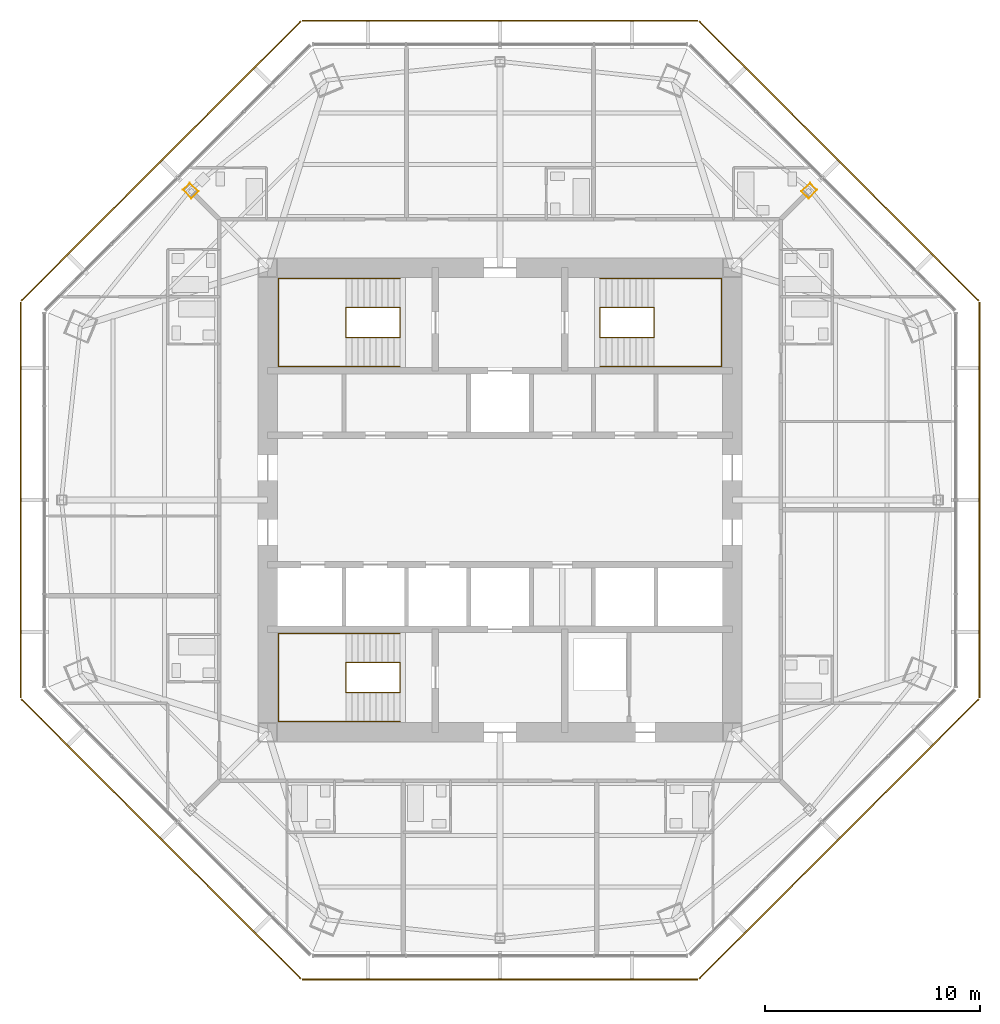
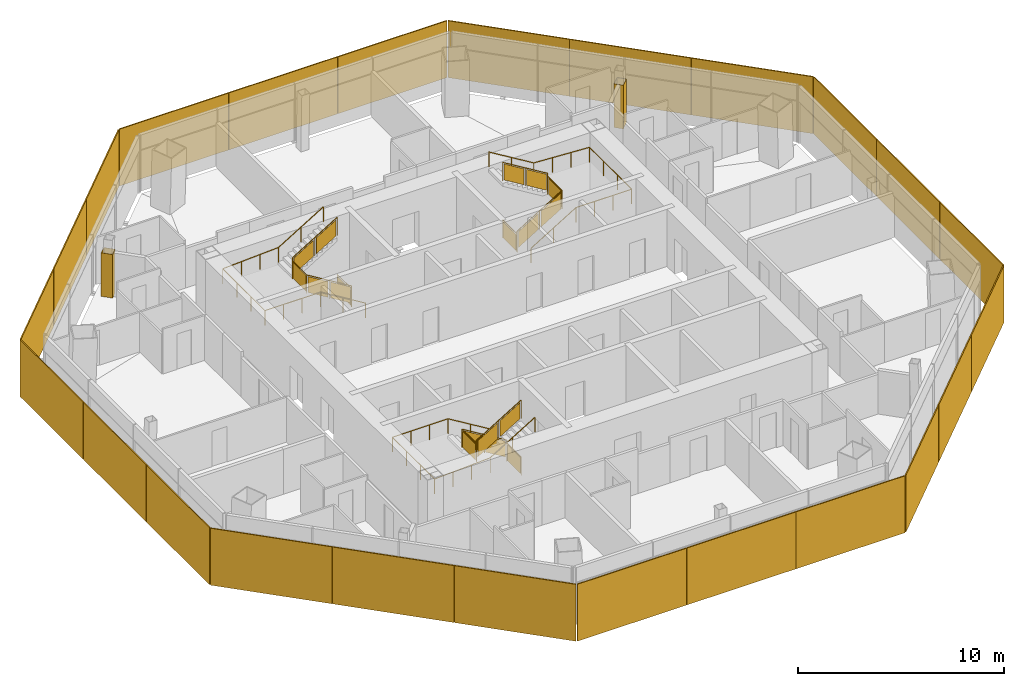
# One storey, part 13 of 14: 24 shading devices, 6 railings, 2 coverings.
"""IFC4 building model written with IfcOpenShell, lengths in metres."""

import ifcopenshell
import ifcopenshell.guid

model = None  # the IFC model being written
_history = None  # IfcOwnerHistory: only IFC2X3 demands one
_inside = {}  # id of a spatial element -> (the spatial element, [elements in it])
_under = {}  # id of a project, library or spatial element -> (it, [spatial elements below it])
_declared = {}  # id of a project -> (the project, [libraries it declares])
_typed = {}  # id of a type object -> (the type object, [elements of that type])
_made_of = {}  # id of a material, layer set ... -> (it, [elements and type objects made of it])


def new_model(schema):
    """Start an empty IFC model of exactly this schema.

    Asked for "IFC4X3", IfcOpenShell would pick the latest addendum, in which some entities
    have other attributes; the version numbers below select the first issue.
    IFC2X3 requires an IfcOwnerHistory on every rooted entity: one is made here for all.
    """
    global model, _history
    if schema == "IFC4X3":
        model = ifcopenshell.file(schema_version=(4, 3, 0, 0))
    else:
        model = ifcopenshell.file(schema=schema)
    _inside.clear()
    _under.clear()
    _declared.clear()
    _typed.clear()
    _made_of.clear()
    _history = None
    if model.schema == "IFC2X3":
        org = make("IfcOrganization", Name="unknown")
        user = make(
            "IfcPersonAndOrganization",
            ThePerson=make("IfcPerson", FamilyName="unknown"),
            TheOrganization=org,
        )
        app = make(
            "IfcApplication",
            ApplicationDeveloper=org,
            Version="unknown",
            ApplicationFullName="unknown",
            ApplicationIdentifier="unknown",
        )
        _history = make(
            "IfcOwnerHistory",
            OwningUser=user,
            OwningApplication=app,
            ChangeAction="ADDED",
            CreationDate=0,
        )
    return model


def make(cls, **values):
    """One entity of the class cls with the attributes given. An attribute that is None is left unset."""
    return model.create_entity(
        cls, **{name: value for name, value in values.items() if value is not None}
    )


def rooted(cls, **values):
    """An entity with a GlobalId (a new one), such as an element, a storey or a relation."""
    return make(cls, GlobalId=ifcopenshell.guid.new(), OwnerHistory=_history, **values)


def si_unit(unit_type, name, prefix=None):
    """IfcSIUnit, for example si_unit("LENGTHUNIT", "METRE", prefix="MILLI")."""
    return make("IfcSIUnit", UnitType=unit_type, Prefix=prefix, Name=name)


def assignment(units):
    """IfcUnitAssignment: the units of a project."""
    return None if units is None else make("IfcUnitAssignment", Units=units)


def point(xyz):
    """IfcCartesianPoint."""
    return None if xyz is None else make("IfcCartesianPoint", Coordinates=xyz)


def direction(xyz):
    """IfcDirection."""
    return None if xyz is None else make("IfcDirection", DirectionRatios=xyz)


def frame(location, z_axis=None, x_axis=None):
    """IfcAxis2Placement3D, a coordinate frame: its origin and axes. An axis left out is left unset."""
    return make(
        "IfcAxis2Placement3D",
        Location=point(location),
        Axis=direction(z_axis),
        RefDirection=direction(x_axis),
    )


def frame_2d(location, x_axis=None):
    """IfcAxis2Placement2D, a coordinate frame in the plane: its origin and x axis."""
    return make(
        "IfcAxis2Placement2D", Location=point(location), RefDirection=direction(x_axis)
    )


def origin():
    """The frame at (0, 0, 0) with its axes left unset."""
    return frame((0.0, 0.0, 0.0))


def origin_2d():
    """The frame at (0, 0) in the plane with its x axis left unset."""
    return frame_2d((0.0, 0.0))


def place(relative_to, where):
    """IfcLocalPlacement: puts the frame where relative to a parent placement (None: the world)."""
    return make(
        "IfcLocalPlacement", PlacementRelTo=relative_to, RelativePlacement=where
    )


def context(
    kind, dimensions, precision=None, world=None, true_north=None, identifier=None
):
    """IfcGeometricRepresentationContext, for example the 3D "Model" context."""
    return make(
        "IfcGeometricRepresentationContext",
        ContextIdentifier=identifier,
        ContextType=kind,
        CoordinateSpaceDimension=dimensions,
        Precision=precision,
        WorldCoordinateSystem=world,
        TrueNorth=true_north,
    )


def subcontext(parent, identifier, kind, view, scale=None):
    """IfcGeometricRepresentationSubContext, for example "Body" below "Model"."""
    return make(
        "IfcGeometricRepresentationSubContext",
        ContextIdentifier=identifier,
        ContextType=kind,
        ParentContext=parent,
        TargetScale=scale,
        TargetView=view,
    )


def project(units=None, contexts=None):
    """IfcProject with its units and contexts."""
    return rooted(
        "IfcProject",
        Name="project",
        RepresentationContexts=contexts,
        UnitsInContext=assignment(units),
    )


def spatial(cls, under=None, at=None, **own):
    """A site, building, storey or space (cls), placed at a placement, below another one or the project."""
    s = rooted(cls, ObjectPlacement=at, **own)
    if under is not None:
        _under.setdefault(under.id(), (under, []))[1].append(s)
    return s


def polyline(points):
    """IfcPolyline through the points."""
    return make("IfcPolyline", Points=[point(p) for p in points])


def profile(cls, at=None, kind="AREA", **sizes):
    """A parametric profile (cls). Its sizes go by their IFC names, for example OverallWidth=200.0."""
    return make(cls, ProfileType=kind, Position=at, **sizes)


def rectangle(**sizes):
    """IfcRectangleProfileDef."""
    return profile("IfcRectangleProfileDef", **sizes)


def circle(**sizes):
    """IfcCircleProfileDef."""
    return profile("IfcCircleProfileDef", **sizes)


def outline(outer, holes=None, kind="AREA"):
    """IfcArbitraryClosedProfileDef: a profile drawn as a closed curve; with holes, ...WithVoids."""
    if holes is None:
        return make("IfcArbitraryClosedProfileDef", ProfileType=kind, OuterCurve=outer)
    return make(
        "IfcArbitraryProfileDefWithVoids",
        ProfileType=kind,
        OuterCurve=outer,
        InnerCurves=holes,
    )


def extrude(swept, where, along, depth):
    """IfcExtrudedAreaSolid: the profile swept, set in the frame where, extruded along a direction by depth."""
    return make(
        "IfcExtrudedAreaSolid",
        SweptArea=swept,
        Position=where,
        ExtrudedDirection=direction(along),
        Depth=depth,
    )


def shape(context_of_items, identifier, shape_type, items):
    """IfcShapeRepresentation: the items that make up one representation, for example the "Body"."""
    return make(
        "IfcShapeRepresentation",
        ContextOfItems=context_of_items,
        RepresentationIdentifier=identifier,
        RepresentationType=shape_type,
        Items=items,
    )


def source(mapping_origin, context_of_items, identifier, shape_type, items):
    """IfcRepresentationMap: a shape defined once, which mapped items show again and again."""
    return make(
        "IfcRepresentationMap",
        MappingOrigin=mapping_origin,
        MappedRepresentation=shape(context_of_items, identifier, shape_type, items),
    )


def transform(
    local_origin,
    x_axis=None,
    y_axis=None,
    z_axis=None,
    scale=None,
    scale2=None,
    scale3=None,
    uniform=True,
):
    """IfcCartesianTransformationOperator3D, or its non-uniform kind. x_axis, y_axis, z_axis: its Axis1, 2, 3."""
    if uniform:
        return make(
            "IfcCartesianTransformationOperator3D",
            Axis1=direction(x_axis),
            Axis2=direction(y_axis),
            LocalOrigin=point(local_origin),
            Scale=scale,
            Axis3=direction(z_axis),
        )
    return make(
        "IfcCartesianTransformationOperator3DnonUniform",
        Axis1=direction(x_axis),
        Axis2=direction(y_axis),
        LocalOrigin=point(local_origin),
        Scale=scale,
        Axis3=direction(z_axis),
        Scale2=scale2,
        Scale3=scale3,
    )


def mapped(mapping_source, mapping_target):
    """IfcMappedItem: shows the shape of a source again, moved by a transform."""
    return make(
        "IfcMappedItem", MappingSource=mapping_source, MappingTarget=mapping_target
    )


def material(Name=None, Category=None):
    """IfcMaterial."""
    return make("IfcMaterial", Name=Name, Category=Category)


def layer(
    of_material, thickness, ventilated=None, Name=None, Category=None, Priority=None
):
    """IfcMaterialLayer: one layer of a wall or slab, of a material (None: an air gap)."""
    return make(
        "IfcMaterialLayer",
        Material=of_material,
        LayerThickness=thickness,
        IsVentilated=ventilated,
        Name=Name,
        Category=Category,
        Priority=Priority,
    )


def layer_set(layers, Name=None):
    """IfcMaterialLayerSet."""
    return make("IfcMaterialLayerSet", MaterialLayers=layers, LayerSetName=Name)


def made_of(thing, what):
    """Note that an element or type object is made of a material, layer set ...; save() writes the relation."""
    if what is not None:
        _made_of.setdefault(what.id(), (what, []))[1].append(thing)
    return thing


def type_object(cls, material=None, **own):
    """A type object (cls), such as IfcWallType, which elements share."""
    return made_of(rooted(cls, **own), material)


def type_shapes(of_type, sources):
    """Give a type object the sources (RepresentationMaps) that its elements show as mapped items."""
    of_type.RepresentationMaps = sources


def element(
    cls,
    number,
    at=None,
    inside=None,
    cuts=None,
    type_object=None,
    material=None,
    context=None,
    identifier="Body",
    shape_type=None,
    held_by="IfcProductDefinitionShape",
    body=None,
    shapes=None,
    **own,
):
    """One element of the class cls, such as IfcWall. Its Tag is "e" and its number.

    at: its placement. inside: the storey or other place that contains it. cuts: it is an
    opening in that element (IfcRelVoidsElement). A single representation is given by context,
    identifier, shape_type and body (its items); several are given by shapes. held_by: the class
    of the entity that holds the representations. save() writes the other relations.
    """
    e = rooted(cls, Tag="e%d" % number, ObjectPlacement=at, **own)
    if body is not None:
        shapes = [shape(context, identifier, shape_type, body)]
    if shapes is not None:
        e.Representation = make(held_by, Representations=shapes)
    if inside is not None:
        _inside.setdefault(inside.id(), (inside, []))[1].append(e)
    if cuts is not None:
        rooted(
            "IfcRelVoidsElement", RelatingBuildingElement=cuts, RelatedOpeningElement=e
        )
    if type_object is not None:
        _typed.setdefault(type_object.id(), (type_object, []))[1].append(e)
    return made_of(e, material)


def aggregate(whole, parts):
    """IfcRelAggregates: a whole, such as a stair, and the parts it consists of."""
    return rooted("IfcRelAggregates", RelatingObject=whole, RelatedObjects=parts)


def save(model, path):
    """Write the relations noted so far, then the file.

    IfcRelAggregates (storeys below a building ...), IfcRelContainedInSpatialStructure (elements
    in a storey), IfcRelDefinesByType, IfcRelAssociatesMaterial and IfcRelDeclares: one each for
    every whole, place, type object, material and project.
    """
    for whole, parts in _under.values():
        aggregate(whole, parts)
    for where, things in _inside.values():
        rooted(
            "IfcRelContainedInSpatialStructure",
            RelatedElements=things,
            RelatingStructure=where,
        )
    for kind, things in _typed.values():
        rooted("IfcRelDefinesByType", RelatedObjects=things, RelatingType=kind)
    for what, things in _made_of.values():
        rooted("IfcRelAssociatesMaterial", RelatedObjects=things, RelatingMaterial=what)
    for by, libraries in _declared.values():
        rooted("IfcRelDeclares", RelatingContext=by, RelatedDefinitions=libraries)
    model.write(path)


model = new_model("IFC4")

# Units and contexts
model_context = context("Model", 3, precision=1e-05, world=origin(), true_north=direction((0.0, 1.0)))
body_context = subcontext(model_context, "Body", "Model", "MODEL_VIEW")
ifc_project = project(units=[si_unit("LENGTHUNIT", "METRE"), si_unit("AREAUNIT", "SQUARE_METRE"), si_unit("VOLUMEUNIT", "CUBIC_METRE"), si_unit("PLANEANGLEUNIT", "RADIAN"), si_unit("MASSUNIT", "GRAM", prefix="KILO")], contexts=[model_context])

# Site, building, storey
site_placement = place(None, origin())
site = spatial("IfcSite", under=ifc_project, at=site_placement, CompositionType="ELEMENT")
building_placement = place(site_placement, origin())
building = spatial("IfcBuilding", under=site, at=building_placement, Name="Mashrafa Tower", CompositionType="ELEMENT")
storey_placement = place(building_placement, frame((0.0, 0.0, 241.39990234375)))
storey = spatial("IfcBuildingStorey", under=building, at=storey_placement, Name="L57", CompositionType="ELEMENT", Elevation=241.39990234375)

# Coverings
ifc_material_1 = material(Name="Gypsum board")
ifc_layer_1 = layer(ifc_material_1, 0.014892578125)
ifc_layer_set_1 = layer_set([ifc_layer_1], Name="Column casing plasterboard 15")
covering_type = type_object("IfcCoveringType", Name="Column casing plasterboard 15", PredefinedType="CLADDING", material=ifc_layer_set_1)
covering_1_placement = place(storey_placement, origin())
element("IfcCovering", 1, at=covering_1_placement, inside=storey, type_object=covering_type, Name="Column casing L57-001", PredefinedType="CLADDING", context=body_context, shape_type="SweptSolid", body=[
    extrude(outline(polyline([(14.007568359375, 14.346923828125), (14.4150390625, 14.75439453125), (14.75439453125, 14.4150390625), (14.346923828125, 14.007568359375), (14.007568359375, 14.346923828125)]), holes=[polyline([(14.733154296875, 14.4150390625), (14.4150390625, 14.733154296875), (14.02880859375, 14.346923828125), (14.346923828125, 14.02880859375), (14.733154296875, 14.4150390625)])]), origin(), (0.0, 0.0, 1.0), 2.588134765625),
])
covering_2_placement = place(storey_placement, origin())
element("IfcCovering", 2, at=covering_2_placement, inside=storey, type_object=covering_type, Name="Column casing L57-002", PredefinedType="CLADDING", context=body_context, shape_type="SweptSolid", body=[
    extrude(outline(polyline([(-14.75439453125, 14.4150390625), (-14.4150390625, 14.75439453125), (-14.007568359375, 14.346923828125), (-14.346923828125, 14.007568359375), (-14.75439453125, 14.4150390625)]), holes=[polyline([(-14.02880859375, 14.346923828125), (-14.4150390625, 14.733154296875), (-14.733154296875, 14.4150390625), (-14.346923828125, 14.02880859375), (-14.02880859375, 14.346923828125)])]), origin(), (0.0, 0.0, 1.0), 2.588134765625),
])

# Railings
ifc_material_2 = material(Name="Steel guard with glass infill", Category="steel")
railing_type_1 = type_object("IfcRailingType", Name="Stair guard 1100", PredefinedType="GUARDRAIL", material=ifc_material_2)
railing_1_placement = place(storey_placement, frame((-4.64990234375, 8.949951171875, 0.0)))
element("IfcRailing", 3, at=railing_1_placement, inside=storey, type_object=railing_type_1, Name="Stair S1 guard L57", PredefinedType="GUARDRAIL", context=body_context, shape_type="SweptSolid", body=[
    extrude(circle(Radius=0.02392578125, at=origin_2d()), frame((0.0, 0.0, 1.076171875), z_axis=(0.0, -1.0, 0.0), x_axis=(1.0, 0.0, 0.0)), (0.0, 0.0, 1.0), 1.39990234375),
    extrude(circle(Radius=0.02392578125, at=origin_2d()), frame((0.0, -1.39990234375, 1.076171875), z_axis=(0.0, 0.0, 1.0), x_axis=(1.0, 0.0, 0.0)), (0.0, 0.0, 1.0), 0.170166015625),
    extrude(circle(Radius=0.02392578125, at=origin_2d()), frame((0.0, -1.39990234375, 1.24609375), z_axis=(-0.85478489116, 0.0, 0.518982456201), x_axis=(0.0, -1.0, 0.0)), (0.0, 0.0, 1.0), 2.9482421875),
    extrude(circle(Radius=0.02392578125, at=origin_2d()), frame((-2.52001953125, -1.39990234375, 2.7763671875), z_axis=(0.0, 1.0, 0.0), x_axis=(-1.0, 0.0, 0.0)), (0.0, 0.0, 1.0), 1.39990234375),
    extrude(circle(Radius=0.02392578125, at=origin_2d()), frame((-2.52001953125, 0.0, 2.7763671875), z_axis=(0.0, 0.0, 1.0), x_axis=(1.0, 0.0, 0.0)), (0.0, 0.0, 1.0), 0.169921875),
    extrude(circle(Radius=0.02392578125, at=origin_2d()), frame((-2.52001953125, 0.0, 2.9462890625), z_axis=(0.85478489116, 0.0, 0.518982456201), x_axis=(0.0, 1.0, 0.0)), (0.0, 0.0, 1.0), 2.9482421875),
    extrude(circle(Radius=0.02099609375, at=origin_2d()), origin(), (0.0, 0.0, 1.0), 1.052001953125),
    extrude(circle(Radius=0.02099609375, at=origin_2d()), frame((0.0, -1.39990234375, 0.0)), (0.0, 0.0, 1.0), 1.052001953125),
    extrude(circle(Radius=0.02099609375, at=origin_2d()), frame((0.0, -1.39990234375, 0.170166015625)), (0.0, 0.0, 1.0), 1.052001953125),
    extrude(circle(Radius=0.02099609375, at=origin_2d()), frame((-1.260009765625, -1.39990234375, 0.93505859375)), (0.0, 0.0, 1.0), 1.052001953125),
    extrude(circle(Radius=0.02099609375, at=origin_2d()), frame((-2.52001953125, -1.39990234375, 1.7001953125)), (0.0, 0.0, 1.0), 1.052001953125),
    extrude(circle(Radius=0.02099609375, at=origin_2d()), frame((-2.52001953125, 0.0, 1.7001953125)), (0.0, 0.0, 1.0), 1.052001953125),
    extrude(circle(Radius=0.02099609375, at=origin_2d()), frame((-2.52001953125, 0.0, 1.8701171875)), (0.0, 0.0, 1.0), 1.052001953125),
    extrude(circle(Radius=0.02099609375, at=origin_2d()), frame((-1.260009765625, 0.0, 2.63525390625)), (0.0, 0.0, 1.0), 1.052001953125),
    extrude(circle(Radius=0.02099609375, at=origin_2d()), frame((0.0, 0.0, 3.400146484375)), (0.0, 0.0, 1.0), 1.052001953125),
    extrude(outline(polyline([(0.071044921875, 0.050048828125), (1.328857421875, 0.050048828125), (1.328857421875, 1.001953125), (0.071044921875, 1.001953125), (0.071044921875, 0.050048828125)])), frame((-0.006103515625, 0.0, 0.0), z_axis=(-1.0, 0.0, 0.0), x_axis=(0.0, -1.0, 0.0)), (0.0, 0.0, 1.0), 0.011962890625),
    extrude(outline(polyline([(0.071044921875, 0.093017578125), (1.18896484375, 0.77197265625), (1.18896484375, 1.723876953125), (0.071044921875, 1.045166015625), (0.071044921875, 0.093017578125)])), frame((0.0, -1.393798828125, 0.170166015625), z_axis=(0.0, 1.0, 0.0), x_axis=(-1.0, 0.0, 0.0)), (0.0, 0.0, 1.0), 0.011962890625),
    extrude(outline(polyline([(1.3310546875, 0.858154296875), (2.448974609375, 1.536865234375), (2.448974609375, 2.489013671875), (1.3310546875, 1.81005859375), (1.3310546875, 0.858154296875)])), frame((0.0, -1.393798828125, 0.170166015625), z_axis=(0.0, 1.0, 0.0), x_axis=(-1.0, 0.0, 0.0)), (0.0, 0.0, 1.0), 0.011962890625),
    extrude(outline(polyline([(0.071044921875, 0.050048828125), (1.328857421875, 0.050048828125), (1.328857421875, 1.001953125), (0.071044921875, 1.001953125), (0.071044921875, 0.050048828125)])), frame((-2.513916015625, -1.39990234375, 1.7001953125), z_axis=(1.0, 0.0, 0.0), x_axis=(0.0, 1.0, 0.0)), (0.0, 0.0, 1.0), 0.011962890625),
    extrude(outline(polyline([(0.071044921875, 0.093017578125), (1.18896484375, 0.77197265625), (1.18896484375, 1.723876953125), (0.071044921875, 1.045166015625), (0.071044921875, 0.093017578125)])), frame((-2.52001953125, -0.006103515625, 1.8701171875), z_axis=(0.0, -1.0, 0.0), x_axis=(1.0, 0.0, 0.0)), (0.0, 0.0, 1.0), 0.011962890625),
    extrude(outline(polyline([(1.3310546875, 0.858154296875), (2.448974609375, 1.536865234375), (2.448974609375, 2.489013671875), (1.3310546875, 1.81005859375), (1.3310546875, 0.858154296875)])), frame((-2.52001953125, -0.006103515625, 1.8701171875), z_axis=(0.0, -1.0, 0.0), x_axis=(1.0, 0.0, 0.0)), (0.0, 0.0, 1.0), 0.011962890625),
])
railing_2_placement = place(storey_placement, frame((4.64990234375, 8.949951171875, 0.0)))
element("IfcRailing", 4, at=railing_2_placement, inside=storey, type_object=railing_type_1, Name="Stair S2 guard L57", PredefinedType="GUARDRAIL", context=body_context, shape_type="SweptSolid", body=[
    extrude(circle(Radius=0.02392578125, at=origin_2d()), frame((0.0, 0.0, 1.076171875), z_axis=(0.0, -1.0, 0.0), x_axis=(1.0, 0.0, 0.0)), (0.0, 0.0, 1.0), 1.39990234375),
    extrude(circle(Radius=0.02392578125, at=origin_2d()), frame((0.0, -1.39990234375, 1.076171875), z_axis=(0.0, 0.0, 1.0), x_axis=(1.0, 0.0, 0.0)), (0.0, 0.0, 1.0), 0.170166015625),
    extrude(circle(Radius=0.02392578125, at=origin_2d()), frame((0.0, -1.39990234375, 1.24609375), z_axis=(0.85478489116, 0.0, 0.518982456201), x_axis=(0.0, 1.0, 0.0)), (0.0, 0.0, 1.0), 2.9482421875),
    extrude(circle(Radius=0.02392578125, at=origin_2d()), frame((2.52001953125, -1.39990234375, 2.7763671875), z_axis=(0.0, 1.0, 0.0), x_axis=(-1.0, 0.0, 0.0)), (0.0, 0.0, 1.0), 1.39990234375),
    extrude(circle(Radius=0.02392578125, at=origin_2d()), frame((2.52001953125, 0.0, 2.7763671875), z_axis=(0.0, 0.0, 1.0), x_axis=(1.0, 0.0, 0.0)), (0.0, 0.0, 1.0), 0.169921875),
    extrude(circle(Radius=0.02392578125, at=origin_2d()), frame((2.52001953125, 0.0, 2.9462890625), z_axis=(-0.85478489116, 0.0, 0.518982456201), x_axis=(0.0, -1.0, 0.0)), (0.0, 0.0, 1.0), 2.9482421875),
    extrude(circle(Radius=0.02099609375, at=origin_2d()), origin(), (0.0, 0.0, 1.0), 1.052001953125),
    extrude(circle(Radius=0.02099609375, at=origin_2d()), frame((0.0, -1.39990234375, 0.0)), (0.0, 0.0, 1.0), 1.052001953125),
    extrude(circle(Radius=0.02099609375, at=origin_2d()), frame((0.0, -1.39990234375, 0.170166015625)), (0.0, 0.0, 1.0), 1.052001953125),
    extrude(circle(Radius=0.02099609375, at=origin_2d()), frame((1.260009765625, -1.39990234375, 0.93505859375)), (0.0, 0.0, 1.0), 1.052001953125),
    extrude(circle(Radius=0.02099609375, at=origin_2d()), frame((2.52001953125, -1.39990234375, 1.7001953125)), (0.0, 0.0, 1.0), 1.052001953125),
    extrude(circle(Radius=0.02099609375, at=origin_2d()), frame((2.52001953125, 0.0, 1.7001953125)), (0.0, 0.0, 1.0), 1.052001953125),
    extrude(circle(Radius=0.02099609375, at=origin_2d()), frame((2.52001953125, 0.0, 1.8701171875)), (0.0, 0.0, 1.0), 1.052001953125),
    extrude(circle(Radius=0.02099609375, at=origin_2d()), frame((1.260009765625, 0.0, 2.63525390625)), (0.0, 0.0, 1.0), 1.052001953125),
    extrude(circle(Radius=0.02099609375, at=origin_2d()), frame((0.0, 0.0, 3.400146484375)), (0.0, 0.0, 1.0), 1.052001953125),
    extrude(outline(polyline([(0.071044921875, 0.050048828125), (1.328857421875, 0.050048828125), (1.328857421875, 1.001953125), (0.071044921875, 1.001953125), (0.071044921875, 0.050048828125)])), frame((-0.006103515625, 0.0, 0.0), z_axis=(-1.0, 0.0, 0.0), x_axis=(0.0, -1.0, 0.0)), (0.0, 0.0, 1.0), 0.011962890625),
    extrude(outline(polyline([(0.071044921875, 0.093017578125), (1.18896484375, 0.77197265625), (1.18896484375, 1.723876953125), (0.071044921875, 1.045166015625), (0.071044921875, 0.093017578125)])), frame((0.0, -1.406005859375, 0.170166015625), z_axis=(0.0, -1.0, 0.0), x_axis=(1.0, 0.0, 0.0)), (0.0, 0.0, 1.0), 0.011962890625),
    extrude(outline(polyline([(1.3310546875, 0.858154296875), (2.448974609375, 1.536865234375), (2.448974609375, 2.489013671875), (1.3310546875, 1.81005859375), (1.3310546875, 0.858154296875)])), frame((0.0, -1.406005859375, 0.170166015625), z_axis=(0.0, -1.0, 0.0), x_axis=(1.0, 0.0, 0.0)), (0.0, 0.0, 1.0), 0.011962890625),
    extrude(outline(polyline([(0.071044921875, 0.050048828125), (1.328857421875, 0.050048828125), (1.328857421875, 1.001953125), (0.071044921875, 1.001953125), (0.071044921875, 0.050048828125)])), frame((2.526123046875, -1.39990234375, 1.7001953125), z_axis=(1.0, 0.0, 0.0), x_axis=(0.0, 1.0, 0.0)), (0.0, 0.0, 1.0), 0.011962890625),
    extrude(outline(polyline([(0.071044921875, 0.093017578125), (1.18896484375, 0.77197265625), (1.18896484375, 1.723876953125), (0.071044921875, 1.045166015625), (0.071044921875, 0.093017578125)])), frame((2.52001953125, 0.006103515625, 1.8701171875), z_axis=(0.0, 1.0, 0.0), x_axis=(-1.0, 0.0, 0.0)), (0.0, 0.0, 1.0), 0.011962890625),
    extrude(outline(polyline([(1.3310546875, 0.858154296875), (2.448974609375, 1.536865234375), (2.448974609375, 2.489013671875), (1.3310546875, 1.81005859375), (1.3310546875, 0.858154296875)])), frame((2.52001953125, 0.006103515625, 1.8701171875), z_axis=(0.0, 1.0, 0.0), x_axis=(-1.0, 0.0, 0.0)), (0.0, 0.0, 1.0), 0.011962890625),
])
railing_3_placement = place(storey_placement, frame((-4.64990234375, -8.949951171875, 0.0)))
element("IfcRailing", 5, at=railing_3_placement, inside=storey, type_object=railing_type_1, Name="Stair S3 guard L57", PredefinedType="GUARDRAIL", context=body_context, shape_type="SweptSolid", body=[
    extrude(circle(Radius=0.02392578125, at=origin_2d()), frame((0.0, 0.0, 1.076171875), z_axis=(0.0, 1.0, 0.0), x_axis=(-1.0, 0.0, 0.0)), (0.0, 0.0, 1.0), 1.39990234375),
    extrude(circle(Radius=0.02392578125, at=origin_2d()), frame((0.0, 1.39990234375, 1.076171875), z_axis=(0.0, 0.0, 1.0), x_axis=(1.0, 0.0, 0.0)), (0.0, 0.0, 1.0), 0.170166015625),
    extrude(circle(Radius=0.02392578125, at=origin_2d()), frame((0.0, 1.39990234375, 1.24609375), z_axis=(-0.85478489116, 0.0, 0.518982456201), x_axis=(0.0, -1.0, 0.0)), (0.0, 0.0, 1.0), 2.9482421875),
    extrude(circle(Radius=0.02392578125, at=origin_2d()), frame((-2.52001953125, 1.39990234375, 2.7763671875), z_axis=(0.0, -1.0, 0.0), x_axis=(1.0, 0.0, 0.0)), (0.0, 0.0, 1.0), 1.39990234375),
    extrude(circle(Radius=0.02392578125, at=origin_2d()), frame((-2.52001953125, 0.0, 2.7763671875), z_axis=(0.0, 0.0, 1.0), x_axis=(1.0, 0.0, 0.0)), (0.0, 0.0, 1.0), 0.169921875),
    extrude(circle(Radius=0.02392578125, at=origin_2d()), frame((-2.52001953125, 0.0, 2.9462890625), z_axis=(0.85478489116, 0.0, 0.518982456201), x_axis=(0.0, 1.0, 0.0)), (0.0, 0.0, 1.0), 2.9482421875),
    extrude(circle(Radius=0.02099609375, at=origin_2d()), origin(), (0.0, 0.0, 1.0), 1.052001953125),
    extrude(circle(Radius=0.02099609375, at=origin_2d()), frame((0.0, 1.39990234375, 0.0)), (0.0, 0.0, 1.0), 1.052001953125),
    extrude(circle(Radius=0.02099609375, at=origin_2d()), frame((0.0, 1.39990234375, 0.170166015625)), (0.0, 0.0, 1.0), 1.052001953125),
    extrude(circle(Radius=0.02099609375, at=origin_2d()), frame((-1.260009765625, 1.39990234375, 0.93505859375)), (0.0, 0.0, 1.0), 1.052001953125),
    extrude(circle(Radius=0.02099609375, at=origin_2d()), frame((-2.52001953125, 1.39990234375, 1.7001953125)), (0.0, 0.0, 1.0), 1.052001953125),
    extrude(circle(Radius=0.02099609375, at=origin_2d()), frame((-2.52001953125, 0.0, 1.7001953125)), (0.0, 0.0, 1.0), 1.052001953125),
    extrude(circle(Radius=0.02099609375, at=origin_2d()), frame((-2.52001953125, 0.0, 1.8701171875)), (0.0, 0.0, 1.0), 1.052001953125),
    extrude(circle(Radius=0.02099609375, at=origin_2d()), frame((-1.260009765625, 0.0, 2.63525390625)), (0.0, 0.0, 1.0), 1.052001953125),
    extrude(circle(Radius=0.02099609375, at=origin_2d()), frame((0.0, 0.0, 3.400146484375)), (0.0, 0.0, 1.0), 1.052001953125),
    extrude(outline(polyline([(0.071044921875, 0.050048828125), (1.328857421875, 0.050048828125), (1.328857421875, 1.001953125), (0.071044921875, 1.001953125), (0.071044921875, 0.050048828125)])), frame((0.006103515625, 0.0, 0.0), z_axis=(1.0, 0.0, 0.0), x_axis=(0.0, 1.0, 0.0)), (0.0, 0.0, 1.0), 0.011962890625),
    extrude(outline(polyline([(0.071044921875, 0.093017578125), (1.18896484375, 0.77197265625), (1.18896484375, 1.723876953125), (0.071044921875, 1.045166015625), (0.071044921875, 0.093017578125)])), frame((0.0, 1.406005859375, 0.170166015625), z_axis=(0.0, 1.0, 0.0), x_axis=(-1.0, 0.0, 0.0)), (0.0, 0.0, 1.0), 0.011962890625),
    extrude(outline(polyline([(1.3310546875, 0.858154296875), (2.448974609375, 1.536865234375), (2.448974609375, 2.489013671875), (1.3310546875, 1.81005859375), (1.3310546875, 0.858154296875)])), frame((0.0, 1.406005859375, 0.170166015625), z_axis=(0.0, 1.0, 0.0), x_axis=(-1.0, 0.0, 0.0)), (0.0, 0.0, 1.0), 0.011962890625),
    extrude(outline(polyline([(0.071044921875, 0.050048828125), (1.328857421875, 0.050048828125), (1.328857421875, 1.001953125), (0.071044921875, 1.001953125), (0.071044921875, 0.050048828125)])), frame((-2.526123046875, 1.39990234375, 1.7001953125), z_axis=(-1.0, 0.0, 0.0), x_axis=(0.0, -1.0, 0.0)), (0.0, 0.0, 1.0), 0.011962890625),
    extrude(outline(polyline([(0.071044921875, 0.093017578125), (1.18896484375, 0.77197265625), (1.18896484375, 1.723876953125), (0.071044921875, 1.045166015625), (0.071044921875, 0.093017578125)])), frame((-2.52001953125, -0.006103515625, 1.8701171875), z_axis=(0.0, -1.0, 0.0), x_axis=(1.0, 0.0, 0.0)), (0.0, 0.0, 1.0), 0.011962890625),
    extrude(outline(polyline([(1.3310546875, 0.858154296875), (2.448974609375, 1.536865234375), (2.448974609375, 2.489013671875), (1.3310546875, 1.81005859375), (1.3310546875, 0.858154296875)])), frame((-2.52001953125, -0.006103515625, 1.8701171875), z_axis=(0.0, -1.0, 0.0), x_axis=(1.0, 0.0, 0.0)), (0.0, 0.0, 1.0), 0.011962890625),
])
ifc_material_3 = material(Name="Steel", Category="steel")
railing_type_2 = type_object("IfcRailingType", Name="Stair handrail 900", PredefinedType="HANDRAIL", material=ifc_material_3)
railing_4_placement = place(storey_placement, frame((-4.64990234375, 6.199951171875, 0.170166015625)))
element("IfcRailing", 6, at=railing_4_placement, inside=storey, type_object=railing_type_2, Name="Stair S1 handrail L57", PredefinedType="HANDRAIL", context=body_context, shape_type="SweptSolid", body=[
    extrude(circle(Radius=0.02392578125, at=origin_2d()), frame((0.0, 0.0, 0.8759765625), z_axis=(-0.85478489116, 0.0, 0.518982456201), x_axis=(0.0, -1.0, 0.0)), (0.0, 0.0, 1.0), 2.9482421875),
    extrude(circle(Radius=0.02392578125, at=origin_2d()), frame((-2.52001953125, 0.0, 2.40576171875), z_axis=(-1.0, 0.0, 0.0), x_axis=(0.0, -1.0, 0.0)), (0.0, 0.0, 1.0), 3.130126953125),
    extrude(circle(Radius=0.02392578125, at=origin_2d()), frame((-5.650146484375, 0.0, 2.40576171875), z_axis=(0.0, 1.0, 0.0), x_axis=(-1.0, 0.0, 0.0)), (0.0, 0.0, 1.0), 4.10009765625),
    extrude(circle(Radius=0.02392578125, at=origin_2d()), frame((-5.650146484375, 4.10009765625, 2.40576171875), z_axis=(0.998529767259, 0.0, 0.054206124172), x_axis=(0.0, 1.0, 0.0)), (0.0, 0.0, 1.0), 3.134765625),
    extrude(circle(Radius=0.02392578125, at=origin_2d()), frame((-2.52001953125, 4.10009765625, 2.57568359375), z_axis=(0.85478489116, 0.0, 0.518982456201), x_axis=(0.0, 1.0, 0.0)), (0.0, 0.0, 1.0), 2.9482421875),
    extrude(circle(Radius=0.02099609375, at=origin_2d()), origin(), (0.0, 0.0, 1.0), 0.851806640625),
    extrude(circle(Radius=0.02099609375, at=origin_2d()), frame((-1.260009765625, 0.0, 0.76513671875)), (0.0, 0.0, 1.0), 0.851806640625),
    extrude(circle(Radius=0.02099609375, at=origin_2d()), frame((-2.52001953125, 0.0, 1.530029296875)), (0.0, 0.0, 1.0), 0.851806640625),
    extrude(circle(Radius=0.02099609375, at=origin_2d()), frame((-3.5634765625, 0.0, 1.530029296875)), (0.0, 0.0, 1.0), 0.851806640625),
    extrude(circle(Radius=0.02099609375, at=origin_2d()), frame((-4.606689453125, 0.0, 1.530029296875)), (0.0, 0.0, 1.0), 0.851806640625),
    extrude(circle(Radius=0.02099609375, at=origin_2d()), frame((-5.650146484375, 0.0, 1.530029296875)), (0.0, 0.0, 1.0), 0.851806640625),
    extrude(circle(Radius=0.02099609375, at=origin_2d()), frame((-5.650146484375, 1.36669921875, 1.530029296875)), (0.0, 0.0, 1.0), 0.851806640625),
    extrude(circle(Radius=0.02099609375, at=origin_2d()), frame((-5.650146484375, 2.7333984375, 1.530029296875)), (0.0, 0.0, 1.0), 0.851806640625),
    extrude(circle(Radius=0.02099609375, at=origin_2d()), frame((-5.650146484375, 4.10009765625, 1.530029296875)), (0.0, 0.0, 1.0), 0.851806640625),
    extrude(circle(Radius=0.02099609375, at=origin_2d()), frame((-4.606689453125, 4.10009765625, 1.586669921875)), (0.0, 0.0, 1.0), 0.851806640625),
    extrude(circle(Radius=0.02099609375, at=origin_2d()), frame((-3.5634765625, 4.10009765625, 1.643310546875)), (0.0, 0.0, 1.0), 0.851806640625),
    extrude(circle(Radius=0.02099609375, at=origin_2d()), frame((-2.52001953125, 4.10009765625, 1.699951171875)), (0.0, 0.0, 1.0), 0.851806640625),
    extrude(circle(Radius=0.02099609375, at=origin_2d()), frame((-1.260009765625, 4.10009765625, 2.46484375)), (0.0, 0.0, 1.0), 0.851806640625),
    extrude(circle(Radius=0.02099609375, at=origin_2d()), frame((0.0, 4.10009765625, 3.22998046875)), (0.0, 0.0, 1.0), 0.851806640625),
])
railing_5_placement = place(storey_placement, frame((4.64990234375, 6.199951171875, 0.170166015625)))
element("IfcRailing", 7, at=railing_5_placement, inside=storey, type_object=railing_type_2, Name="Stair S2 handrail L57", PredefinedType="HANDRAIL", context=body_context, shape_type="SweptSolid", body=[
    extrude(circle(Radius=0.02392578125, at=origin_2d()), frame((0.0, 0.0, 0.8759765625), z_axis=(0.85478489116, 0.0, 0.518982456201), x_axis=(0.0, 1.0, 0.0)), (0.0, 0.0, 1.0), 2.9482421875),
    extrude(circle(Radius=0.02392578125, at=origin_2d()), frame((2.52001953125, 0.0, 2.40576171875), z_axis=(1.0, 0.0, 0.0), x_axis=(0.0, 1.0, 0.0)), (0.0, 0.0, 1.0), 3.130126953125),
    extrude(circle(Radius=0.02392578125, at=origin_2d()), frame((5.650146484375, 0.0, 2.40576171875), z_axis=(0.0, 1.0, 0.0), x_axis=(-1.0, 0.0, 0.0)), (0.0, 0.0, 1.0), 4.10009765625),
    extrude(circle(Radius=0.02392578125, at=origin_2d()), frame((5.650146484375, 4.10009765625, 2.40576171875), z_axis=(-0.998529767259, 0.0, 0.054206124172), x_axis=(0.0, -1.0, 0.0)), (0.0, 0.0, 1.0), 3.134765625),
    extrude(circle(Radius=0.02392578125, at=origin_2d()), frame((2.52001953125, 4.10009765625, 2.57568359375), z_axis=(-0.85478489116, 0.0, 0.518982456201), x_axis=(0.0, -1.0, 0.0)), (0.0, 0.0, 1.0), 2.9482421875),
    extrude(circle(Radius=0.02099609375, at=origin_2d()), origin(), (0.0, 0.0, 1.0), 0.851806640625),
    extrude(circle(Radius=0.02099609375, at=origin_2d()), frame((1.260009765625, 0.0, 0.76513671875)), (0.0, 0.0, 1.0), 0.851806640625),
    extrude(circle(Radius=0.02099609375, at=origin_2d()), frame((2.52001953125, 0.0, 1.530029296875)), (0.0, 0.0, 1.0), 0.851806640625),
    extrude(circle(Radius=0.02099609375, at=origin_2d()), frame((3.5634765625, 0.0, 1.530029296875)), (0.0, 0.0, 1.0), 0.851806640625),
    extrude(circle(Radius=0.02099609375, at=origin_2d()), frame((4.606689453125, 0.0, 1.530029296875)), (0.0, 0.0, 1.0), 0.851806640625),
    extrude(circle(Radius=0.02099609375, at=origin_2d()), frame((5.650146484375, 0.0, 1.530029296875)), (0.0, 0.0, 1.0), 0.851806640625),
    extrude(circle(Radius=0.02099609375, at=origin_2d()), frame((5.650146484375, 1.36669921875, 1.530029296875)), (0.0, 0.0, 1.0), 0.851806640625),
    extrude(circle(Radius=0.02099609375, at=origin_2d()), frame((5.650146484375, 2.7333984375, 1.530029296875)), (0.0, 0.0, 1.0), 0.851806640625),
    extrude(circle(Radius=0.02099609375, at=origin_2d()), frame((5.650146484375, 4.10009765625, 1.530029296875)), (0.0, 0.0, 1.0), 0.851806640625),
    extrude(circle(Radius=0.02099609375, at=origin_2d()), frame((4.606689453125, 4.10009765625, 1.586669921875)), (0.0, 0.0, 1.0), 0.851806640625),
    extrude(circle(Radius=0.02099609375, at=origin_2d()), frame((3.5634765625, 4.10009765625, 1.643310546875)), (0.0, 0.0, 1.0), 0.851806640625),
    extrude(circle(Radius=0.02099609375, at=origin_2d()), frame((2.52001953125, 4.10009765625, 1.699951171875)), (0.0, 0.0, 1.0), 0.851806640625),
    extrude(circle(Radius=0.02099609375, at=origin_2d()), frame((1.260009765625, 4.10009765625, 2.46484375)), (0.0, 0.0, 1.0), 0.851806640625),
    extrude(circle(Radius=0.02099609375, at=origin_2d()), frame((0.0, 4.10009765625, 3.22998046875)), (0.0, 0.0, 1.0), 0.851806640625),
])
railing_6_placement = place(storey_placement, frame((-4.64990234375, -6.199951171875, 0.170166015625)))
element("IfcRailing", 8, at=railing_6_placement, inside=storey, type_object=railing_type_2, Name="Stair S3 handrail L57", PredefinedType="HANDRAIL", context=body_context, shape_type="SweptSolid", body=[
    extrude(circle(Radius=0.02392578125, at=origin_2d()), frame((0.0, 0.0, 0.8759765625), z_axis=(-0.85478489116, 0.0, 0.518982456201), x_axis=(0.0, -1.0, 0.0)), (0.0, 0.0, 1.0), 2.9482421875),
    extrude(circle(Radius=0.02392578125, at=origin_2d()), frame((-2.52001953125, 0.0, 2.40576171875), z_axis=(-1.0, 0.0, 0.0), x_axis=(0.0, -1.0, 0.0)), (0.0, 0.0, 1.0), 3.130126953125),
    extrude(circle(Radius=0.02392578125, at=origin_2d()), frame((-5.650146484375, 0.0, 2.40576171875), z_axis=(0.0, -1.0, 0.0), x_axis=(1.0, 0.0, 0.0)), (0.0, 0.0, 1.0), 4.10009765625),
    extrude(circle(Radius=0.02392578125, at=origin_2d()), frame((-5.650146484375, -4.10009765625, 2.40576171875), z_axis=(0.998529767259, 0.0, 0.054206124172), x_axis=(0.0, 1.0, 0.0)), (0.0, 0.0, 1.0), 3.134765625),
    extrude(circle(Radius=0.02392578125, at=origin_2d()), frame((-2.52001953125, -4.10009765625, 2.57568359375), z_axis=(0.85478489116, 0.0, 0.518982456201), x_axis=(0.0, 1.0, 0.0)), (0.0, 0.0, 1.0), 2.9482421875),
    extrude(circle(Radius=0.02099609375, at=origin_2d()), origin(), (0.0, 0.0, 1.0), 0.851806640625),
    extrude(circle(Radius=0.02099609375, at=origin_2d()), frame((-1.260009765625, 0.0, 0.76513671875)), (0.0, 0.0, 1.0), 0.851806640625),
    extrude(circle(Radius=0.02099609375, at=origin_2d()), frame((-2.52001953125, 0.0, 1.530029296875)), (0.0, 0.0, 1.0), 0.851806640625),
    extrude(circle(Radius=0.02099609375, at=origin_2d()), frame((-3.5634765625, 0.0, 1.530029296875)), (0.0, 0.0, 1.0), 0.851806640625),
    extrude(circle(Radius=0.02099609375, at=origin_2d()), frame((-4.606689453125, 0.0, 1.530029296875)), (0.0, 0.0, 1.0), 0.851806640625),
    extrude(circle(Radius=0.02099609375, at=origin_2d()), frame((-5.650146484375, 0.0, 1.530029296875)), (0.0, 0.0, 1.0), 0.851806640625),
    extrude(circle(Radius=0.02099609375, at=origin_2d()), frame((-5.650146484375, -1.36669921875, 1.530029296875)), (0.0, 0.0, 1.0), 0.851806640625),
    extrude(circle(Radius=0.02099609375, at=origin_2d()), frame((-5.650146484375, -2.7333984375, 1.530029296875)), (0.0, 0.0, 1.0), 0.851806640625),
    extrude(circle(Radius=0.02099609375, at=origin_2d()), frame((-5.650146484375, -4.10009765625, 1.530029296875)), (0.0, 0.0, 1.0), 0.851806640625),
    extrude(circle(Radius=0.02099609375, at=origin_2d()), frame((-4.606689453125, -4.10009765625, 1.586669921875)), (0.0, 0.0, 1.0), 0.851806640625),
    extrude(circle(Radius=0.02099609375, at=origin_2d()), frame((-3.5634765625, -4.10009765625, 1.643310546875)), (0.0, 0.0, 1.0), 0.851806640625),
    extrude(circle(Radius=0.02099609375, at=origin_2d()), frame((-2.52001953125, -4.10009765625, 1.699951171875)), (0.0, 0.0, 1.0), 0.851806640625),
    extrude(circle(Radius=0.02099609375, at=origin_2d()), frame((-1.260009765625, -4.10009765625, 2.46484375)), (0.0, 0.0, 1.0), 0.851806640625),
    extrude(circle(Radius=0.02099609375, at=origin_2d()), frame((0.0, -4.10009765625, 3.22998046875)), (0.0, 0.0, 1.0), 0.851806640625),
])

# Shading devices
ifc_material_4 = material(Name="Perforated aluminium plate, eight-point star pattern", Category="aluminium")
ifc_layer_2 = layer(ifc_material_4, 0.06005859375)
ifc_layer_set_2 = layer_set([ifc_layer_2], Name="Mashrabiya screen panel apartment zone 3, 28 percent open")
shading_device_type = type_object("IfcShadingDeviceType", Name="Mashrabiya screen panel apartment zone 3, 28 percent open", PredefinedType="SHUTTER", material=ifc_layer_set_2)
shared_shape = source(origin(), body_context, "Body", "SweptSolid", [
    extrude(rectangle(XDim=6.119140625, YDim=0.06005859375, at=origin_2d()), origin(), (0.0, 0.0, 1.0), 3.3798828125),
])
type_shapes(shading_device_type, [shared_shape])
for number, where, z_axis, x_axis, name in (
    (9, (22.285888671875, -6.13916015625, -0.14990234375), (0.0, 0.0, 1.0), (0.0, 1.0, 0.0), "Mashrabiya screen L57 east 1"),
    (10, (22.285888671875, 0.0, -0.14990234375), (0.0, 0.0, 1.0), (0.0, 1.0, 0.0), "Mashrabiya screen L57 east 2"),
    (11, (22.285888671875, 6.13916015625, -0.14990234375), (0.0, 0.0, 1.0), (0.0, 1.0, 0.0), "Mashrabiya screen L57 east 3"),
    (12, (20.099609375, 11.41748046875, -0.14990234375), (0.0, 0.0, 1.0), (-0.707106781187, 0.707106781187, 0.0), "Mashrabiya screen L57 north-east 1"),
    (13, (15.758544921875, 15.758544921875, -0.14990234375), (0.0, 0.0, 1.0), (-0.707106781187, 0.707106781187, 0.0), "Mashrabiya screen L57 north-east 2"),
    (14, (11.41748046875, 20.099609375, -0.14990234375), (0.0, 0.0, 1.0), (-0.707106781187, 0.707106781187, 0.0), "Mashrabiya screen L57 north-east 3"),
    (15, (6.13916015625, 22.285888671875, -0.14990234375), (0.0, 0.0, 1.0), (-1.0, 0.0, 0.0), "Mashrabiya screen L57 north 1"),
    (16, (0.0, 22.285888671875, -0.14990234375), (0.0, 0.0, 1.0), (-1.0, 0.0, 0.0), "Mashrabiya screen L57 north 2"),
    (17, (-6.13916015625, 22.285888671875, -0.14990234375), (0.0, 0.0, 1.0), (-1.0, 0.0, 0.0), "Mashrabiya screen L57 north 3"),
    (18, (-11.41748046875, 20.099609375, -0.14990234375), (0.0, 0.0, 1.0), (-0.707106781187, -0.707106781187, 0.0), "Mashrabiya screen L57 north-west 1"),
    (19, (-15.758544921875, 15.758544921875, -0.14990234375), (0.0, 0.0, 1.0), (-0.707106781187, -0.707106781187, 0.0), "Mashrabiya screen L57 north-west 2"),
    (20, (-20.099609375, 11.41748046875, -0.14990234375), (0.0, 0.0, 1.0), (-0.707106781187, -0.707106781187, 0.0), "Mashrabiya screen L57 north-west 3"),
    (21, (-22.285888671875, 6.13916015625, -0.14990234375), (0.0, 0.0, 1.0), (0.0, -1.0, 0.0), "Mashrabiya screen L57 west 1"),
    (22, (-22.285888671875, 0.0, -0.14990234375), (0.0, 0.0, 1.0), (0.0, -1.0, 0.0), "Mashrabiya screen L57 west 2"),
    (23, (-22.285888671875, -6.13916015625, -0.14990234375), (0.0, 0.0, 1.0), (0.0, -1.0, 0.0), "Mashrabiya screen L57 west 3"),
    (24, (-20.099609375, -11.41748046875, -0.14990234375), (0.0, 0.0, 1.0), (0.707106781187, -0.707106781187, 0.0), "Mashrabiya screen L57 south-west 1"),
    (25, (-15.758544921875, -15.758544921875, -0.14990234375), (0.0, 0.0, 1.0), (0.707106781187, -0.707106781187, 0.0), "Mashrabiya screen L57 south-west 2"),
    (26, (-11.41748046875, -20.099609375, -0.14990234375), (0.0, 0.0, 1.0), (0.707106781187, -0.707106781187, 0.0), "Mashrabiya screen L57 south-west 3"),
    (27, (-6.13916015625, -22.285888671875, -0.14990234375), (0.0, 0.0, 1.0), (1.0, 0.0, 0.0), "Mashrabiya screen L57 south 1"),
    (28, (0.0, -22.285888671875, -0.14990234375), (0.0, 0.0, 1.0), (1.0, 0.0, 0.0), "Mashrabiya screen L57 south 2"),
    (29, (6.13916015625, -22.285888671875, -0.14990234375), (0.0, 0.0, 1.0), (1.0, 0.0, 0.0), "Mashrabiya screen L57 south 3"),
    (30, (11.41748046875, -20.099609375, -0.14990234375), (0.0, 0.0, 1.0), (0.707106781187, 0.707106781187, 0.0), "Mashrabiya screen L57 south-east 1"),
    (31, (15.758544921875, -15.758544921875, -0.14990234375), (0.0, 0.0, 1.0), (0.707106781187, 0.707106781187, 0.0), "Mashrabiya screen L57 south-east 2"),
    (32, (20.099609375, -11.41748046875, -0.14990234375), (0.0, 0.0, 1.0), (0.707106781187, 0.707106781187, 0.0), "Mashrabiya screen L57 south-east 3"),
):
    element("IfcShadingDevice", number, at=place(storey_placement, frame(where, z_axis=z_axis, x_axis=x_axis)), inside=storey, type_object=shading_device_type, Name=name, PredefinedType="SHUTTER", context=body_context, shape_type="MappedRepresentation", body=[
        mapped(shared_shape, transform((0.0, 0.0, 0.0))),
    ])

save(model, "model.ifc")
